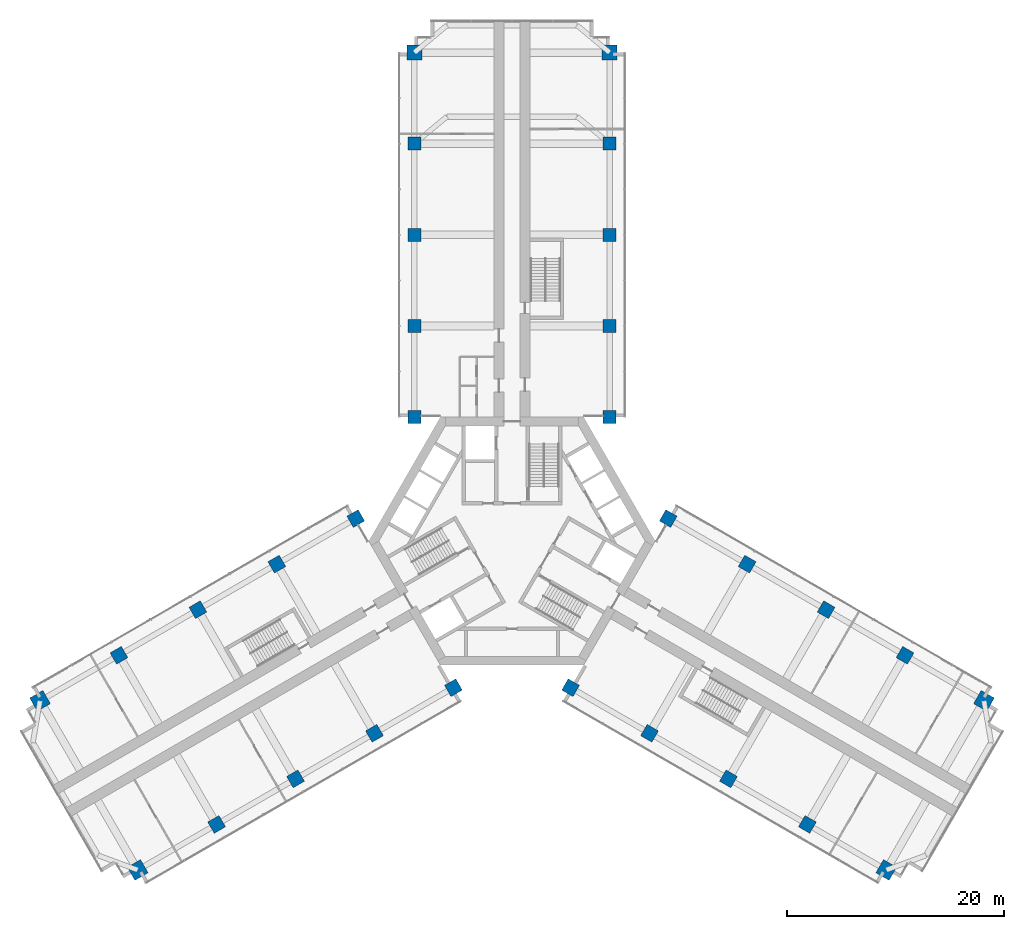
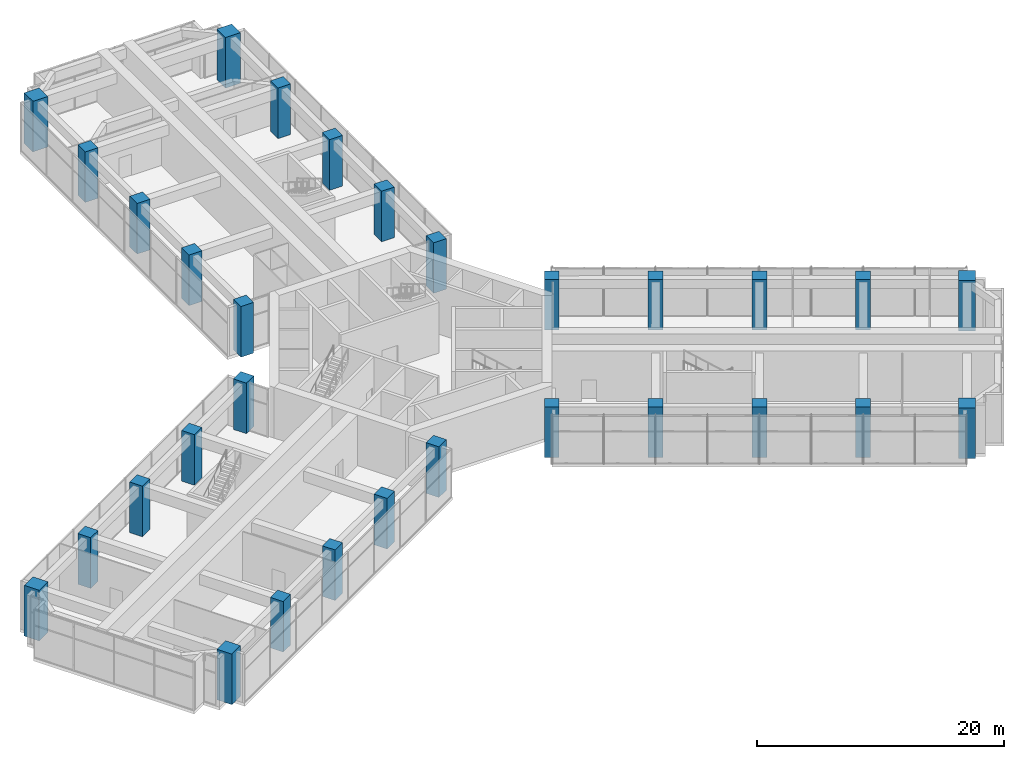
# One storey, part 1 of 20: 30 columns.
"""IFC4 building model written with IfcOpenShell, lengths in metres."""

from ifc_helpers import new_model, si_unit, direction, frame, origin, origin_2d, place, context, subcontext, project, spatial, rectangle, extrude, material, material_profile, profile_set, type_object, element, save


model = new_model("IFC4")

# Units and contexts
model_context = context("Model", 3, precision=1e-05, world=origin(), true_north=direction((0.0, 1.0)))
body_context = subcontext(model_context, "Body", "Model", "MODEL_VIEW")
ifc_project = project(units=[si_unit("LENGTHUNIT", "METRE"), si_unit("AREAUNIT", "SQUARE_METRE"), si_unit("VOLUMEUNIT", "CUBIC_METRE"), si_unit("PLANEANGLEUNIT", "RADIAN"), si_unit("MASSUNIT", "GRAM", prefix="KILO")], contexts=[model_context])

# Site, building, storey
site_placement = place(None, origin())
site = spatial("IfcSite", under=ifc_project, at=site_placement, CompositionType="ELEMENT")
building_placement = place(site_placement, origin())
building = spatial("IfcBuilding", under=site, at=building_placement, Name="Impinga Residences", CompositionType="ELEMENT")
storey_placement = place(building_placement, frame((0.0, 0.0, 101.0)))
storey = spatial("IfcBuildingStorey", under=building, at=storey_placement, Name="L24", CompositionType="ELEMENT", Elevation=101.0)

# Columns
ifc_material_1 = material(Name="Concrete C70/85", Category="concrete")
ifc_material_profile_1 = material_profile(ifc_material_1, rectangle(XDim=1.39990234375, YDim=1.39990234375, at=origin_2d()), Name="RC 1400x1400")
ifc_profile_set_1 = profile_set([ifc_material_profile_1], Name="Concrete C70/85")
column_type_1 = type_object("IfcColumnType", Name="C2 1400x1400 column", PredefinedType="COLUMN", material=ifc_profile_set_1)
for number, where, z_axis, x_axis, name in (
    (1, (-9.0, 45.031494140625, 0.0), (0.0, 0.0, 1.0), (1.0, 0.0, 0.0), "Column C2 N5/NA L24"),
    (2, (9.0, 45.031494140625, 0.0), (0.0, 0.0, 1.0), (1.0, 0.0, 0.0), "Column C2 N5/NF L24"),
    (3, (-34.49853515625, -30.31005859375, 0.0), (0.0, 0.0, 1.0), (-0.5, 0.866025403784, 0.0), "Column C2 W5/WA L24"),
    (4, (-43.49853515625, -14.721435546875, 0.0), (0.0, 0.0, 1.0), (-0.5, 0.866025403784, 0.0), "Column C2 W5/WF L24"),
    (5, (43.49853515625, -14.721435546875, 0.0), (0.0, 0.0, 1.0), (-0.5, -0.866025403784, 0.0), "Column C2 E5/EA L24"),
    (6, (34.49853515625, -30.31005859375, 0.0), (0.0, 0.0, 1.0), (-0.5, -0.866025403784, 0.0), "Column C2 E5/EF L24"),
):
    element("IfcColumn", number, at=place(storey_placement, frame(where, z_axis=z_axis, x_axis=x_axis)), inside=storey, type_object=column_type_1, Name=name, PredefinedType="COLUMN", context=body_context, shape_type="SweptSolid", body=[
        extrude(rectangle(XDim=1.39990234375, YDim=1.39990234375, at=origin_2d()), origin(), (0.0, 0.0, 1.0), 5.0),
    ])
ifc_material_2 = material(Name="Concrete C60/75", Category="concrete")
ifc_material_profile_2 = material_profile(ifc_material_2, rectangle(XDim=1.199951171875, YDim=1.199951171875, at=origin_2d()), Name="RC 1200x1200")
ifc_profile_set_2 = profile_set([ifc_material_profile_2], Name="Concrete C60/75")
column_type_2 = type_object("IfcColumnType", Name="C8 1200x1200 column", PredefinedType="COLUMN", material=ifc_profile_set_2)
for number, where, z_axis, x_axis, name in (
    (7, (-9.0, 11.431640625, 0.0), (0.0, 0.0, 1.0), (1.0, 0.0, 0.0), "Column C8 N1/NA L24"),
    (8, (9.0, 11.431640625, 0.0), (0.0, 0.0, 1.0), (1.0, 0.0, 0.0), "Column C8 N1/NF L24"),
    (9, (-9.0, 19.83154296875, 0.0), (0.0, 0.0, 1.0), (1.0, 0.0, 0.0), "Column C8 N2/NA L24"),
    (10, (9.0, 19.83154296875, 0.0), (0.0, 0.0, 1.0), (1.0, 0.0, 0.0), "Column C8 N2/NF L24"),
    (11, (-9.0, 28.2314453125, 0.0), (0.0, 0.0, 1.0), (1.0, 0.0, 0.0), "Column C8 N3/NA L24"),
    (12, (9.0, 28.2314453125, 0.0), (0.0, 0.0, 1.0), (1.0, 0.0, 0.0), "Column C8 N3/NF L24"),
    (13, (-9.0, 36.631591796875, 0.0), (0.0, 0.0, 1.0), (1.0, 0.0, 0.0), "Column C8 N4/NA L24"),
    (14, (9.0, 36.631591796875, 0.0), (0.0, 0.0, 1.0), (1.0, 0.0, 0.0), "Column C8 N4/NF L24"),
    (15, (-5.39990234375, -13.510009765625, 0.0), (0.0, 0.0, 1.0), (-0.5, 0.866025403784, 0.0), "Column C8 W1/WA L24"),
    (16, (-14.39990234375, 2.078369140625, 0.0), (0.0, 0.0, 1.0), (-0.5, 0.866025403784, 0.0), "Column C8 W1/WF L24"),
    (17, (-12.674560546875, -17.7099609375, 0.0), (0.0, 0.0, 1.0), (-0.5, 0.866025403784, 0.0), "Column C8 W2/WA L24"),
    (18, (-21.674560546875, -2.12158203125, 0.0), (0.0, 0.0, 1.0), (-0.5, 0.866025403784, 0.0), "Column C8 W2/WF L24"),
    (19, (-19.94921875, -21.909912109375, 0.0), (0.0, 0.0, 1.0), (-0.5, 0.866025403784, 0.0), "Column C8 W3/WA L24"),
    (20, (-28.94921875, -6.321533203125, 0.0), (0.0, 0.0, 1.0), (-0.5, 0.866025403784, 0.0), "Column C8 W3/WF L24"),
    (21, (-27.223876953125, -26.110107421875, 0.0), (0.0, 0.0, 1.0), (-0.5, 0.866025403784, 0.0), "Column C8 W4/WA L24"),
    (22, (-36.223876953125, -10.521484375, 0.0), (0.0, 0.0, 1.0), (-0.5, 0.866025403784, 0.0), "Column C8 W4/WF L24"),
    (23, (14.39990234375, 2.078369140625, 0.0), (0.0, 0.0, 1.0), (-0.5, -0.866025403784, 0.0), "Column C8 E1/EA L24"),
    (24, (5.39990234375, -13.510009765625, 0.0), (0.0, 0.0, 1.0), (-0.5, -0.866025403784, 0.0), "Column C8 E1/EF L24"),
    (25, (21.674560546875, -2.12158203125, 0.0), (0.0, 0.0, 1.0), (-0.5, -0.866025403784, 0.0), "Column C8 E2/EA L24"),
    (26, (12.674560546875, -17.7099609375, 0.0), (0.0, 0.0, 1.0), (-0.5, -0.866025403784, 0.0), "Column C8 E2/EF L24"),
    (27, (28.94921875, -6.321533203125, 0.0), (0.0, 0.0, 1.0), (-0.5, -0.866025403784, 0.0), "Column C8 E3/EA L24"),
    (28, (19.94921875, -21.909912109375, 0.0), (0.0, 0.0, 1.0), (-0.5, -0.866025403784, 0.0), "Column C8 E3/EF L24"),
    (29, (36.223876953125, -10.521484375, 0.0), (0.0, 0.0, 1.0), (-0.5, -0.866025403784, 0.0), "Column C8 E4/EA L24"),
    (30, (27.223876953125, -26.110107421875, 0.0), (0.0, 0.0, 1.0), (-0.5, -0.866025403784, 0.0), "Column C8 E4/EF L24"),
):
    element("IfcColumn", number, at=place(storey_placement, frame(where, z_axis=z_axis, x_axis=x_axis)), inside=storey, type_object=column_type_2, Name=name, PredefinedType="COLUMN", context=body_context, shape_type="SweptSolid", body=[
        extrude(rectangle(XDim=1.199951171875, YDim=1.199951171875, at=origin_2d()), origin(), (0.0, 0.0, 1.0), 5.0),
    ])

save(model, "model.ifc")
